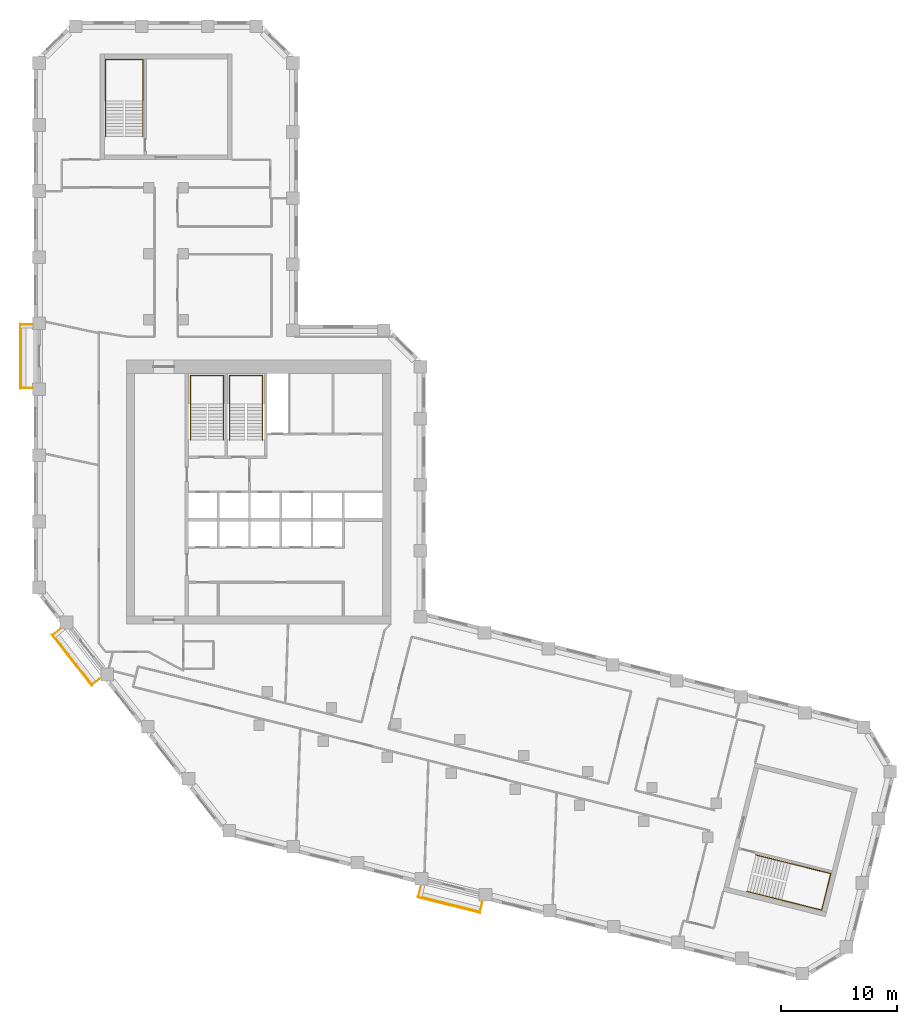
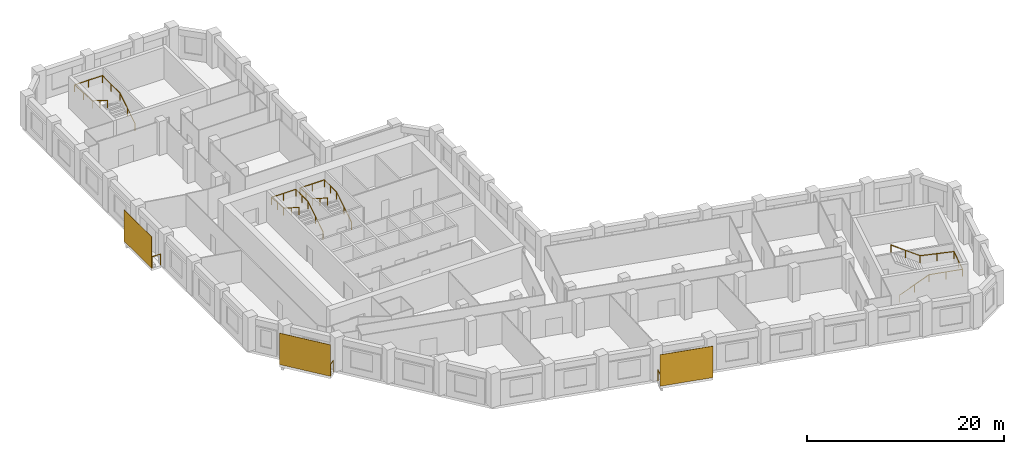
# One storey, part 10 of 10: 7 railings, 3 shading devices.
"""IFC4 building model written with IfcOpenShell, lengths in metres."""

from ifc_helpers import new_model, si_unit, direction, frame, origin, origin_2d, place, context, subcontext, project, spatial, rectangle, circle, extrude, material, layer, layer_set, type_object, element, save


model = new_model("IFC4")

# Units and contexts
model_context = context("Model", 3, precision=1e-05, world=origin(), true_north=direction((0.0, 1.0)))
body_context = subcontext(model_context, "Body", "Model", "MODEL_VIEW")
ifc_project = project(units=[si_unit("LENGTHUNIT", "METRE"), si_unit("AREAUNIT", "SQUARE_METRE"), si_unit("VOLUMEUNIT", "CUBIC_METRE"), si_unit("PLANEANGLEUNIT", "RADIAN"), si_unit("MASSUNIT", "GRAM", prefix="KILO")], contexts=[model_context])

# Site, building, storey
site_placement = place(None, origin())
site = spatial("IfcSite", under=ifc_project, at=site_placement, CompositionType="ELEMENT")
building_placement = place(site_placement, origin())
building = spatial("IfcBuilding", under=site, at=building_placement, Name="Meshkara Civic Tower", CompositionType="ELEMENT")
storey_placement = place(building_placement, frame((0.0, 0.0, 255.0)))
storey = spatial("IfcBuildingStorey", under=building, at=storey_placement, Name="L58", CompositionType="ELEMENT", Elevation=255.0)

# Railings
ifc_material_1 = material(Name="Steel S355", Category="steel")
railing_type_1 = type_object("IfcRailingType", Name="BALUSTRADE GUARD 1400", PredefinedType="BALUSTRADE", material=ifc_material_1)
railing_1_placement = place(storey_placement, frame((-0.10009765625, 39.93505859375, 0.0)))
element("IfcRailing", 1, at=railing_1_placement, inside=storey, type_object=railing_type_1, Name="Balcony guard", PredefinedType="BALUSTRADE", context=body_context, shape_type="SweptSolid", body=[
    extrude(circle(Radius=0.02392578125, at=origin_2d()), frame((0.0, 0.0, 1.3759765625), z_axis=(-1.0, 0.0, 0.0), x_axis=(0.0, -1.0, 0.0)), (0.0, 0.0, 1.0), 1.010009765625),
    extrude(circle(Radius=0.02392578125, at=origin_2d()), frame((-1.010009765625, 0.0, 1.3759765625), z_axis=(0.0, -1.0, 0.0), x_axis=(1.0, 0.0, 0.0)), (0.0, 0.0, 1.0), 5.4599609375),
    extrude(circle(Radius=0.02392578125, at=origin_2d()), frame((-1.010009765625, -5.4599609375, 1.3759765625), z_axis=(1.0, 0.0, 0.0), x_axis=(0.0, 1.0, 0.0)), (0.0, 0.0, 1.0), 1.010009765625),
    extrude(circle(Radius=0.02099609375, at=origin_2d()), origin(), (0.0, 0.0, 1.0), 1.351806640625),
    extrude(circle(Radius=0.02099609375, at=origin_2d()), frame((-1.010009765625, 0.0, 0.0)), (0.0, 0.0, 1.0), 1.351806640625),
    extrude(circle(Radius=0.02099609375, at=origin_2d()), frame((-1.010009765625, -1.092041015625, 0.0)), (0.0, 0.0, 1.0), 1.351806640625),
    extrude(circle(Radius=0.02099609375, at=origin_2d()), frame((-1.010009765625, -2.18408203125, 0.0)), (0.0, 0.0, 1.0), 1.351806640625),
    extrude(circle(Radius=0.02099609375, at=origin_2d()), frame((-1.010009765625, -3.27587890625, 0.0)), (0.0, 0.0, 1.0), 1.351806640625),
    extrude(circle(Radius=0.02099609375, at=origin_2d()), frame((-1.010009765625, -4.367919921875, 0.0)), (0.0, 0.0, 1.0), 1.351806640625),
    extrude(circle(Radius=0.02099609375, at=origin_2d()), frame((-1.010009765625, -5.4599609375, 0.0)), (0.0, 0.0, 1.0), 1.351806640625),
    extrude(circle(Radius=0.02099609375, at=origin_2d()), frame((0.0, -5.4599609375, 0.0)), (0.0, 0.0, 1.0), 1.351806640625),
])
railing_2_placement = place(storey_placement, frame((2.280029296875, 13.658935546875, 0.0)))
element("IfcRailing", 2, at=railing_2_placement, inside=storey, type_object=railing_type_1, Name="Balcony guard", PredefinedType="BALUSTRADE", context=body_context, shape_type="SweptSolid", body=[
    extrude(circle(Radius=0.02392578125, at=origin_2d()), frame((0.0, 0.0, 1.3759765625), z_axis=(-0.788249800523, -0.615355386729, 0.0), x_axis=(0.615355386729, -0.788249800523, 0.0)), (0.0, 0.0, 1.0), 0.787841796875),
    extrude(circle(Radius=0.02392578125, at=origin_2d()), frame((-0.62109375, -0.48486328125, 1.3759765625), z_axis=(0.615573755741, -0.788079279795, 0.0), x_axis=(0.788079279795, 0.615573755741, 0.0)), (0.0, 0.0, 1.0), 5.460205078125),
    extrude(circle(Radius=0.02392578125, at=origin_2d()), frame((2.739990234375, -4.787841796875, 1.3759765625), z_axis=(0.787648714287, 0.616124583896, 0.0), x_axis=(-0.616124583896, 0.787648714287, 0.0)), (0.0, 0.0, 1.0), 0.78857421875),
    extrude(circle(Radius=0.02099609375, at=origin_2d()), origin(), (0.0, 0.0, 1.0), 1.351806640625),
    extrude(circle(Radius=0.02099609375, at=origin_2d()), frame((-0.62109375, -0.48486328125, 0.0)), (0.0, 0.0, 1.0), 1.351806640625),
    extrude(circle(Radius=0.02099609375, at=origin_2d()), frame((0.051025390625, -1.345458984375, 0.0)), (0.0, 0.0, 1.0), 1.351806640625),
    extrude(circle(Radius=0.02099609375, at=origin_2d()), frame((0.723388671875, -2.2060546875, 0.0)), (0.0, 0.0, 1.0), 1.351806640625),
    extrude(circle(Radius=0.02099609375, at=origin_2d()), frame((1.3955078125, -3.066650390625, 0.0)), (0.0, 0.0, 1.0), 1.351806640625),
    extrude(circle(Radius=0.02099609375, at=origin_2d()), frame((2.06787109375, -3.92724609375, 0.0)), (0.0, 0.0, 1.0), 1.351806640625),
    extrude(circle(Radius=0.02099609375, at=origin_2d()), frame((2.739990234375, -4.787841796875, 0.0)), (0.0, 0.0, 1.0), 1.351806640625),
    extrude(circle(Radius=0.02099609375, at=origin_2d()), frame((3.361083984375, -4.302001953125, 0.0)), (0.0, 0.0, 1.0), 1.351806640625),
])
railing_3_placement = place(storey_placement, frame((33.39794921875, -8.550048828125, 0.0)))
element("IfcRailing", 3, at=railing_3_placement, inside=storey, type_object=railing_type_1, Name="Balcony guard", PredefinedType="BALUSTRADE", context=body_context, shape_type="SweptSolid", body=[
    extrude(circle(Radius=0.02392578125, at=origin_2d()), frame((0.0, 0.0, 1.3759765625), z_axis=(-0.241828319243, -0.97031905269, 0.0), x_axis=(0.97031905269, -0.241828319243, 0.0)), (0.0, 0.0, 1.0), 0.8935546875),
    extrude(circle(Radius=0.02392578125, at=origin_2d()), frame((-0.216064453125, -0.866943359375, 1.3759765625), z_axis=(0.970292231073, -0.24193591366, 0.0), x_axis=(0.24193591366, 0.970292231073, 0.0)), (0.0, 0.0, 1.0), 5.460205078125),
    extrude(circle(Radius=0.02392578125, at=origin_2d()), frame((5.08203125, -2.18798828125, 1.3759765625), z_axis=(0.241828319243, 0.97031905269, 0.0), x_axis=(-0.97031905269, 0.241828319243, 0.0)), (0.0, 0.0, 1.0), 0.8935546875),
    extrude(circle(Radius=0.02099609375, at=origin_2d()), origin(), (0.0, 0.0, 1.0), 1.351806640625),
    extrude(circle(Radius=0.02099609375, at=origin_2d()), frame((-0.216064453125, -0.866943359375, 0.0)), (0.0, 0.0, 1.0), 1.351806640625),
    extrude(circle(Radius=0.02099609375, at=origin_2d()), frame((0.843505859375, -1.131103515625, 0.0)), (0.0, 0.0, 1.0), 1.351806640625),
    extrude(circle(Radius=0.02099609375, at=origin_2d()), frame((1.903076171875, -1.395263671875, 0.0)), (0.0, 0.0, 1.0), 1.351806640625),
    extrude(circle(Radius=0.02099609375, at=origin_2d()), frame((2.962890625, -1.65966796875, 0.0)), (0.0, 0.0, 1.0), 1.351806640625),
    extrude(circle(Radius=0.02099609375, at=origin_2d()), frame((4.0224609375, -1.923828125, 0.0)), (0.0, 0.0, 1.0), 1.351806640625),
    extrude(circle(Radius=0.02099609375, at=origin_2d()), frame((5.08203125, -2.18798828125, 0.0)), (0.0, 0.0, 1.0), 1.351806640625),
    extrude(circle(Radius=0.02099609375, at=origin_2d()), frame((5.298095703125, -1.321044921875, 0.0)), (0.0, 0.0, 1.0), 1.351806640625),
])

# Shading devices
ifc_material_2 = material(Name="Perforated bronze anodised aluminium sheet", Category="aluminium")
ifc_layer = layer(ifc_material_2, 0.0400390625)
ifc_layer_set = layer_set([ifc_layer], Name="PERFORATED BRONZE SCREEN")
shading_device_type = type_object("IfcShadingDeviceType", Name="PERFORATED BRONZE SCREEN", PredefinedType="USERDEFINED", material=ifc_layer_set)
for number, where, z_axis, x_axis, name in (
    (4, (-1.179931640625, 37.205078125, 0.0), (0.0, 0.0, 1.0), (0.0, -1.0, 0.0), "Balcony screen"),
    (5, (3.283935546875, 10.97998046875, 0.0), (0.0, 0.0, 1.0), (0.615661475326, -0.788010753607, 0.0), "Balcony screen"),
    (6, (35.81396484375, -10.14599609375, 0.0), (0.0, 0.0, 1.0), (0.970299948462, -0.241904960708, 0.0), "Balcony screen"),
):
    element("IfcShadingDevice", number, at=place(storey_placement, frame(where, z_axis=z_axis, x_axis=x_axis)), inside=storey, type_object=shading_device_type, Name=name, ObjectType="SCREEN", PredefinedType="USERDEFINED", context=body_context, shape_type="SweptSolid", body=[
        extrude(rectangle(XDim=5.580078125, YDim=0.0400390625, at=origin_2d()), origin(), (0.0, 0.0, 1.0), 3.89990234375),
    ])

# Railings
ifc_material_3 = material(Name="Steel handrail", Category="steel")
railing_type_2 = type_object("IfcRailingType", Name="Stair handrail 900", PredefinedType="HANDRAIL", material=ifc_material_3)
railing_4_placement = place(storey_placement, frame((16.375, 30.0, 0.175048828125)))
element("IfcRailing", 7, at=railing_4_placement, inside=storey, type_object=railing_type_2, Name="L58 ST1 stair handrail 1", PredefinedType="HANDRAIL", context=body_context, shape_type="SweptSolid", body=[
    extrude(circle(Radius=0.02392578125, at=origin_2d()), frame((0.0, 0.0, 0.8759765625), z_axis=(0.0, 0.847998304005, 0.529998940003), x_axis=(-1.0, 0.0, 0.0)), (0.0, 0.0, 1.0), 3.632080078125),
    extrude(circle(Radius=0.02392578125, at=origin_2d()), frame((0.0, 3.080078125, 2.80078125), z_axis=(0.0, 1.0, 0.0), x_axis=(-1.0, 0.0, 0.0)), (0.0, 0.0, 1.0), 2.469970703125),
    extrude(circle(Radius=0.02392578125, at=origin_2d()), frame((0.0, 5.550048828125, 2.80078125), z_axis=(-1.0, 0.0, 0.0), x_axis=(0.0, -1.0, 0.0)), (0.0, 0.0, 1.0), 2.85009765625),
    extrude(circle(Radius=0.02392578125, at=origin_2d()), frame((-2.85009765625, 5.550048828125, 2.80078125), z_axis=(0.0, -0.997505032726, 0.070595394231), x_axis=(1.0, 0.0, 0.0)), (0.0, 0.0, 1.0), 2.47607421875),
    extrude(circle(Radius=0.02392578125, at=origin_2d()), frame((-2.85009765625, 3.080078125, 2.9755859375), z_axis=(0.0, -0.847998304005, 0.529998940003), x_axis=(1.0, 0.0, 0.0)), (0.0, 0.0, 1.0), 3.632080078125),
    extrude(circle(Radius=0.02099609375, at=origin_2d()), origin(), (0.0, 0.0, 1.0), 0.851806640625),
    extrude(circle(Radius=0.02099609375, at=origin_2d()), frame((0.0, 1.5400390625, 0.96240234375)), (0.0, 0.0, 1.0), 0.851806640625),
    extrude(circle(Radius=0.02099609375, at=origin_2d()), frame((0.0, 3.080078125, 1.925048828125)), (0.0, 0.0, 1.0), 0.851806640625),
    extrude(circle(Radius=0.02099609375, at=origin_2d()), frame((0.0, 4.31494140625, 1.925048828125)), (0.0, 0.0, 1.0), 0.851806640625),
    extrude(circle(Radius=0.02099609375, at=origin_2d()), frame((0.0, 5.550048828125, 1.925048828125)), (0.0, 0.0, 1.0), 0.851806640625),
    extrude(circle(Radius=0.02099609375, at=origin_2d()), frame((-1.425048828125, 5.550048828125, 1.925048828125)), (0.0, 0.0, 1.0), 0.851806640625),
    extrude(circle(Radius=0.02099609375, at=origin_2d()), frame((-2.85009765625, 5.550048828125, 1.925048828125)), (0.0, 0.0, 1.0), 0.851806640625),
    extrude(circle(Radius=0.02099609375, at=origin_2d()), frame((-2.85009765625, 4.31494140625, 2.012451171875)), (0.0, 0.0, 1.0), 0.851806640625),
    extrude(circle(Radius=0.02099609375, at=origin_2d()), frame((-2.85009765625, 3.080078125, 2.099853515625)), (0.0, 0.0, 1.0), 0.851806640625),
    extrude(circle(Radius=0.02099609375, at=origin_2d()), frame((-2.85009765625, 1.5400390625, 3.0625)), (0.0, 0.0, 1.0), 0.851806640625),
    extrude(circle(Radius=0.02099609375, at=origin_2d()), frame((-2.85009765625, 0.0, 4.02490234375)), (0.0, 0.0, 1.0), 0.851806640625),
])
railing_5_placement = place(storey_placement, frame((19.72509765625, 30.0, 0.175048828125)))
element("IfcRailing", 8, at=railing_5_placement, inside=storey, type_object=railing_type_2, Name="L58 ST2 stair handrail 1", PredefinedType="HANDRAIL", context=body_context, shape_type="SweptSolid", body=[
    extrude(circle(Radius=0.02392578125, at=origin_2d()), frame((0.0, 0.0, 0.8759765625), z_axis=(0.0, 0.847998304005, 0.529998940003), x_axis=(-1.0, 0.0, 0.0)), (0.0, 0.0, 1.0), 3.632080078125),
    extrude(circle(Radius=0.02392578125, at=origin_2d()), frame((0.0, 3.080078125, 2.80078125), z_axis=(0.0, 1.0, 0.0), x_axis=(-1.0, 0.0, 0.0)), (0.0, 0.0, 1.0), 2.469970703125),
    extrude(circle(Radius=0.02392578125, at=origin_2d()), frame((0.0, 5.550048828125, 2.80078125), z_axis=(-1.0, 0.0, 0.0), x_axis=(0.0, -1.0, 0.0)), (0.0, 0.0, 1.0), 2.85009765625),
    extrude(circle(Radius=0.02392578125, at=origin_2d()), frame((-2.85009765625, 5.550048828125, 2.80078125), z_axis=(0.0, -0.997505032726, 0.070595394231), x_axis=(1.0, 0.0, 0.0)), (0.0, 0.0, 1.0), 2.47607421875),
    extrude(circle(Radius=0.02392578125, at=origin_2d()), frame((-2.85009765625, 3.080078125, 2.9755859375), z_axis=(0.0, -0.847998304005, 0.529998940003), x_axis=(1.0, 0.0, 0.0)), (0.0, 0.0, 1.0), 3.632080078125),
    extrude(circle(Radius=0.02099609375, at=origin_2d()), origin(), (0.0, 0.0, 1.0), 0.851806640625),
    extrude(circle(Radius=0.02099609375, at=origin_2d()), frame((0.0, 1.5400390625, 0.96240234375)), (0.0, 0.0, 1.0), 0.851806640625),
    extrude(circle(Radius=0.02099609375, at=origin_2d()), frame((0.0, 3.080078125, 1.925048828125)), (0.0, 0.0, 1.0), 0.851806640625),
    extrude(circle(Radius=0.02099609375, at=origin_2d()), frame((0.0, 4.31494140625, 1.925048828125)), (0.0, 0.0, 1.0), 0.851806640625),
    extrude(circle(Radius=0.02099609375, at=origin_2d()), frame((0.0, 5.550048828125, 1.925048828125)), (0.0, 0.0, 1.0), 0.851806640625),
    extrude(circle(Radius=0.02099609375, at=origin_2d()), frame((-1.425048828125, 5.550048828125, 1.925048828125)), (0.0, 0.0, 1.0), 0.851806640625),
    extrude(circle(Radius=0.02099609375, at=origin_2d()), frame((-2.85009765625, 5.550048828125, 1.925048828125)), (0.0, 0.0, 1.0), 0.851806640625),
    extrude(circle(Radius=0.02099609375, at=origin_2d()), frame((-2.85009765625, 4.31494140625, 2.012451171875)), (0.0, 0.0, 1.0), 0.851806640625),
    extrude(circle(Radius=0.02099609375, at=origin_2d()), frame((-2.85009765625, 3.080078125, 2.099853515625)), (0.0, 0.0, 1.0), 0.851806640625),
    extrude(circle(Radius=0.02099609375, at=origin_2d()), frame((-2.85009765625, 1.5400390625, 3.0625)), (0.0, 0.0, 1.0), 0.851806640625),
    extrude(circle(Radius=0.02099609375, at=origin_2d()), frame((-2.85009765625, 0.0, 4.02490234375)), (0.0, 0.0, 1.0), 0.851806640625),
])
railing_6_placement = place(storey_placement, frame((9.425048828125, 56.169921875, 0.175048828125)))
element("IfcRailing", 9, at=railing_6_placement, inside=storey, type_object=railing_type_2, Name="L58 ESA4 stair handrail 1", PredefinedType="HANDRAIL", context=body_context, shape_type="SweptSolid", body=[
    extrude(circle(Radius=0.02392578125, at=origin_2d()), frame((0.0, 0.0, 0.8759765625), z_axis=(0.0, 0.847998304005, 0.529998940003), x_axis=(-1.0, 0.0, 0.0)), (0.0, 0.0, 1.0), 3.632080078125),
    extrude(circle(Radius=0.02392578125, at=origin_2d()), frame((0.0, 3.080078125, 2.80078125), z_axis=(0.0, 1.0, 0.0), x_axis=(-1.0, 0.0, 0.0)), (0.0, 0.0, 1.0), 3.570068359375),
    extrude(circle(Radius=0.02392578125, at=origin_2d()), frame((0.0, 6.650146484375, 2.80078125), z_axis=(-1.0, 0.0, 0.0), x_axis=(0.0, -1.0, 0.0)), (0.0, 0.0, 1.0), 3.25),
    extrude(circle(Radius=0.02392578125, at=origin_2d()), frame((-3.25, 6.650146484375, 2.80078125), z_axis=(0.0, -0.998803416417, 0.048905371412), x_axis=(1.0, 0.0, 0.0)), (0.0, 0.0, 1.0), 3.574462890625),
    extrude(circle(Radius=0.02392578125, at=origin_2d()), frame((-3.25, 3.080078125, 2.9755859375), z_axis=(0.0, -0.847998304005, 0.529998940003), x_axis=(1.0, 0.0, 0.0)), (0.0, 0.0, 1.0), 3.632080078125),
    extrude(circle(Radius=0.02099609375, at=origin_2d()), origin(), (0.0, 0.0, 1.0), 0.851806640625),
    extrude(circle(Radius=0.02099609375, at=origin_2d()), frame((0.0, 1.5400390625, 0.96240234375)), (0.0, 0.0, 1.0), 0.851806640625),
    extrude(circle(Radius=0.02099609375, at=origin_2d()), frame((0.0, 3.080078125, 1.925048828125)), (0.0, 0.0, 1.0), 0.851806640625),
    extrude(circle(Radius=0.02099609375, at=origin_2d()), frame((0.0, 4.865234375, 1.925048828125)), (0.0, 0.0, 1.0), 0.851806640625),
    extrude(circle(Radius=0.02099609375, at=origin_2d()), frame((0.0, 6.650146484375, 1.925048828125)), (0.0, 0.0, 1.0), 0.851806640625),
    extrude(circle(Radius=0.02099609375, at=origin_2d()), frame((-1.625, 6.650146484375, 1.925048828125)), (0.0, 0.0, 1.0), 0.851806640625),
    extrude(circle(Radius=0.02099609375, at=origin_2d()), frame((-3.25, 6.650146484375, 1.925048828125)), (0.0, 0.0, 1.0), 0.851806640625),
    extrude(circle(Radius=0.02099609375, at=origin_2d()), frame((-3.25, 4.865234375, 2.012451171875)), (0.0, 0.0, 1.0), 0.851806640625),
    extrude(circle(Radius=0.02099609375, at=origin_2d()), frame((-3.25, 3.080078125, 2.099853515625)), (0.0, 0.0, 1.0), 0.851806640625),
    extrude(circle(Radius=0.02099609375, at=origin_2d()), frame((-3.25, 1.5400390625, 3.0625)), (0.0, 0.0, 1.0), 0.851806640625),
    extrude(circle(Radius=0.02099609375, at=origin_2d()), frame((-3.25, 0.0, 4.02490234375)), (0.0, 0.0, 1.0), 0.851806640625),
])
railing_7_placement = place(storey_placement, frame((61.526123046875, -8.97607421875, 0.175048828125)))
element("IfcRailing", 10, at=railing_7_placement, inside=storey, type_object=railing_type_2, Name="L58 ESB4 stair handrail 1", PredefinedType="HANDRAIL", context=body_context, shape_type="SweptSolid", body=[
    extrude(circle(Radius=0.02392578125, at=origin_2d()), frame((0.0, 0.0, 0.8759765625), z_axis=(0.822771605551, -0.205222362071, 0.530028930537), x_axis=(0.242013336109, 0.97027292302, 0.0)), (0.0, 0.0, 1.0), 3.632080078125),
    extrude(circle(Radius=0.02392578125, at=origin_2d()), frame((2.98828125, -0.745361328125, 2.80078125), z_axis=(0.97025503065, -0.242085058395, 0.0), x_axis=(0.242085058395, 0.97025503065, 0.0)), (0.0, 0.0, 1.0), 3.570068359375),
    extrude(circle(Radius=0.02392578125, at=origin_2d()), frame((6.4521484375, -1.609619140625, 2.80078125), z_axis=(0.242040676986, 0.970266103027, 0.0), x_axis=(-0.970266103027, 0.242040676986, 0.0)), (0.0, 0.0, 1.0), 3.25),
    extrude(circle(Radius=0.02392578125, at=origin_2d()), frame((7.23876953125, 1.543701171875, 2.80078125), z_axis=(-0.969089875828, 0.241811387921, 0.048908743998), x_axis=(-0.24210112213, -0.970251022501, 0.0)), (0.0, 0.0, 1.0), 3.57421875),
    extrude(circle(Radius=0.02392578125, at=origin_2d()), frame((3.775146484375, 2.407958984375, 2.9755859375), z_axis=(-0.822793318929, 0.205211012392, 0.529999617659), x_axis=(-0.24199472324, -0.970277565403, 0.0)), (0.0, 0.0, 1.0), 3.632080078125),
    extrude(circle(Radius=0.02099609375, at=origin_2d()), origin(), (0.0, 0.0, 1.0), 0.851806640625),
    extrude(circle(Radius=0.02099609375, at=origin_2d()), frame((1.494140625, -0.37255859375, 0.96240234375)), (0.0, 0.0, 1.0), 0.851806640625),
    extrude(circle(Radius=0.02099609375, at=origin_2d()), frame((2.98828125, -0.745361328125, 1.925048828125)), (0.0, 0.0, 1.0), 0.851806640625),
    extrude(circle(Radius=0.02099609375, at=origin_2d()), frame((4.72021484375, -1.177490234375, 1.925048828125)), (0.0, 0.0, 1.0), 0.851806640625),
    extrude(circle(Radius=0.02099609375, at=origin_2d()), frame((6.4521484375, -1.609619140625, 1.925048828125)), (0.0, 0.0, 1.0), 0.851806640625),
    extrude(circle(Radius=0.02099609375, at=origin_2d()), frame((6.845458984375, -0.032958984375, 1.925048828125)), (0.0, 0.0, 1.0), 0.851806640625),
    extrude(circle(Radius=0.02099609375, at=origin_2d()), frame((7.23876953125, 1.543701171875, 1.925048828125)), (0.0, 0.0, 1.0), 0.851806640625),
    extrude(circle(Radius=0.02099609375, at=origin_2d()), frame((5.5068359375, 1.975830078125, 2.012451171875)), (0.0, 0.0, 1.0), 0.851806640625),
    extrude(circle(Radius=0.02099609375, at=origin_2d()), frame((3.775146484375, 2.407958984375, 2.099853515625)), (0.0, 0.0, 1.0), 0.851806640625),
    extrude(circle(Radius=0.02099609375, at=origin_2d()), frame((2.28076171875, 2.78076171875, 3.0625)), (0.0, 0.0, 1.0), 0.851806640625),
    extrude(circle(Radius=0.02099609375, at=origin_2d()), frame((0.78662109375, 3.1533203125, 4.02490234375)), (0.0, 0.0, 1.0), 0.851806640625),
])

save(model, "model.ifc")
